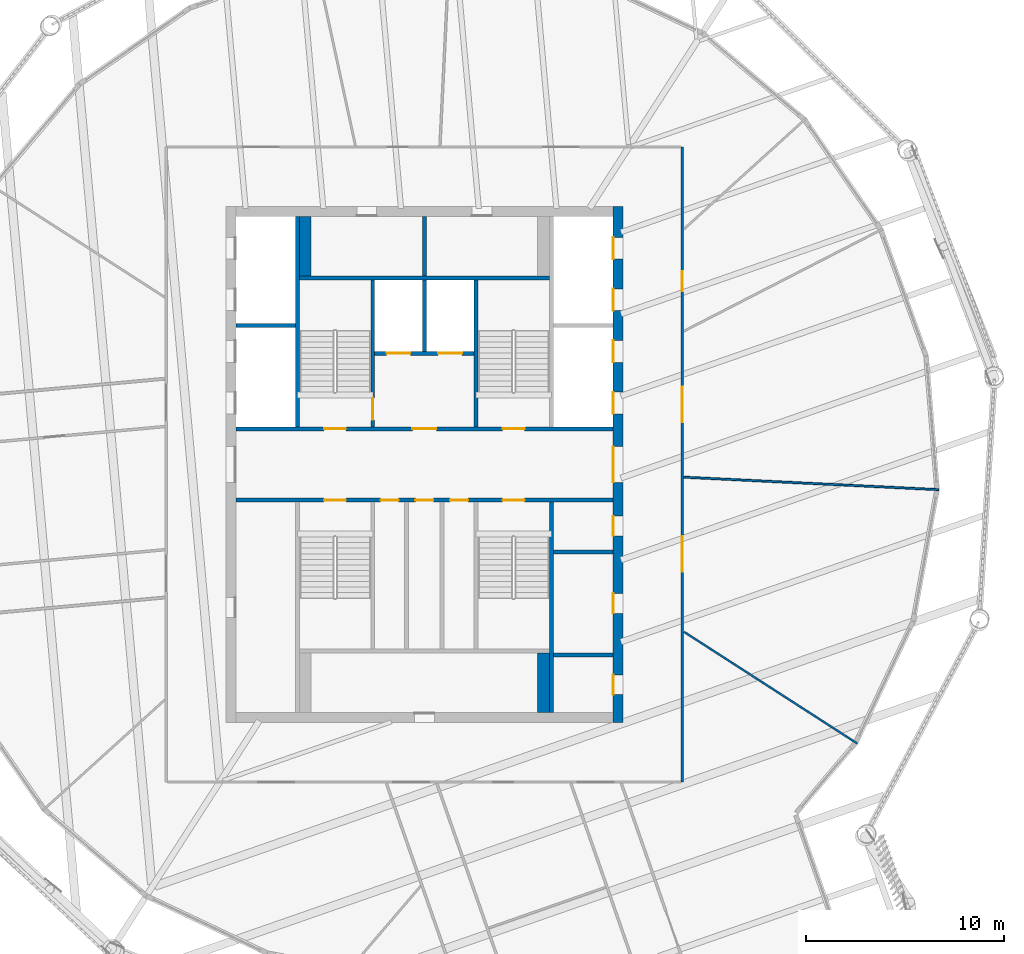
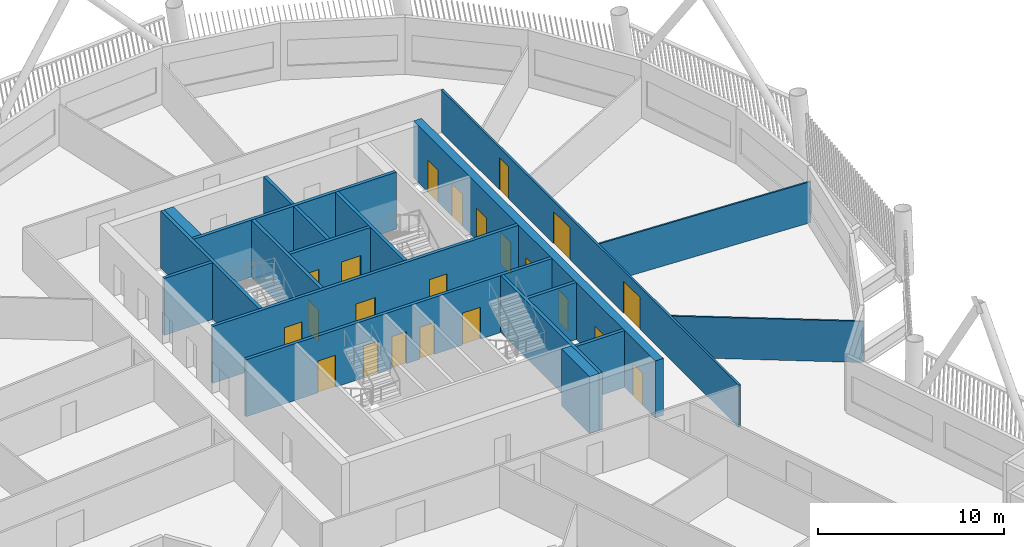
# One storey, part 5 of 23: 22 doors, 19 walls, 22 openings.
"""IFC4 building model written with IfcOpenShell, lengths in metres."""

from ifc_helpers import new_model, si_unit, direction, frame, frame_2d, origin, place, context, subcontext, project, spatial, rectangle, extrude, material, layer, layer_set, type_object, element, fill, save


model = new_model("IFC4")

# Units and contexts
model_context = context("Model", 3, precision=1e-05, world=origin(), true_north=direction((0.0, 1.0)))
body_context = subcontext(model_context, "Body", "Model", "MODEL_VIEW")
ifc_project = project(units=[si_unit("LENGTHUNIT", "METRE"), si_unit("AREAUNIT", "SQUARE_METRE"), si_unit("VOLUMEUNIT", "CUBIC_METRE"), si_unit("PLANEANGLEUNIT", "RADIAN"), si_unit("MASSUNIT", "GRAM", prefix="KILO")], contexts=[model_context])

# Site, building, storey
site_placement = place(None, origin())
site = spatial("IfcSite", under=ifc_project, at=site_placement, CompositionType="ELEMENT")
building_placement = place(site_placement, origin())
building = spatial("IfcBuilding", under=site, at=building_placement, Name="Tarsis Ring Headquarters", CompositionType="ELEMENT")
storey_placement = place(building_placement, frame((0.0, 0.0, 308.0)))
storey = spatial("IfcBuildingStorey", under=building, at=storey_placement, Name="L72", CompositionType="ELEMENT", Elevation=308.0)

# Walls
ifc_material_1 = material(Name="Blockwork", Category="masonry")
ifc_layer_1 = layer(ifc_material_1, 0.199951171875)
ifc_layer_set_1 = layer_set([ifc_layer_1], Name="Core blockwork wall 200")
wall_type_1 = type_object("IfcWallType", Name="Core blockwork wall 200", PredefinedType="PARTITIONING", material=ifc_layer_set_1)
for number, where, z_axis, x_axis, name in (
    (1, (6.5, -9.60009765625, 0.0), (0.0, 0.0, 1.0), (1.0, 0.0, 0.0), "Core partition ED1"),
    (2, (6.5, -4.39990234375, 0.0), (0.0, 0.0, 1.0), (1.0, 0.0, 0.0), "Core partition ED3"),
    (3, (0.0, 9.5, 0.0), (0.0, 0.0, 1.0), (0.0, 1.0, 0.0), "Core partition ND2"),
):
    element("IfcWall", number, at=place(storey_placement, frame(where, z_axis=z_axis, x_axis=x_axis)), inside=storey, type_object=wall_type_1, Name=name, PredefinedType="PARTITIONING", context=body_context, shape_type="SweptSolid", body=[
        extrude(rectangle(XDim=3.0, YDim=0.199951171875, at=frame_2d((1.5, 0.0))), origin(), (0.0, 0.0, 1.0), 3.739990234375),
    ])

# Wall, openings, doors
ifc_material_2 = material(Name="Concrete C50/60", Category="concrete")
ifc_layer_2 = layer(ifc_material_2, 0.5)
ifc_layer_set_2 = layer_set([ifc_layer_2], Name="Core wall 500 C50/60")
wall_type_2 = type_object("IfcWallType", Name="Core wall 500 C50/60", PredefinedType="SHEAR", material=ifc_layer_set_2)
wall_1_placement = place(storey_placement, frame((9.75, -13.0, 0.0), z_axis=(0.0, 0.0, 1.0), x_axis=(0.0, 1.0, 0.0)))
wall_1 = element("IfcWall", 4, at=wall_1_placement, inside=storey, type_object=wall_type_2, Name="Core wall OE", PredefinedType="SHEAR", context=body_context, shape_type="SweptSolid", body=[
    extrude(rectangle(XDim=26.0, YDim=0.5, at=frame_2d((13.0, 0.0))), origin(), (0.0, 0.0, 1.0), 3.739990234375),
])
opening_1_placement = place(wall_1_placement, frame((1.39990234375, 0.0, 0.0)))
opening_1 = element("IfcOpeningElement", 5, at=opening_1_placement, cuts=wall_1, Name="Opening L72-C07", PredefinedType="OPENING", context=body_context, shape_type="SweptSolid", body=[
    extrude(rectangle(XDim=1.0, YDim=2.10009765625, at=frame_2d((0.5, 1.050048828125))), frame((0.0, 0.260009765625, 0.0), z_axis=(0.0, -1.0, 0.0), x_axis=(1.0, 0.0, 0.0)), (0.0, 0.0, 1.0), 0.52001953125),
])
opening_2_placement = place(wall_1_placement, frame((5.5, 0.0, 0.0)))
opening_2 = element("IfcOpeningElement", 6, at=opening_2_placement, cuts=wall_1, Name="Opening L72-C08", PredefinedType="OPENING", context=body_context, shape_type="SweptSolid", body=[
    extrude(rectangle(XDim=1.0, YDim=2.10009765625, at=frame_2d((0.5, 1.050048828125))), frame((0.0, 0.260009765625, 0.0), z_axis=(0.0, -1.0, 0.0), x_axis=(1.0, 0.0, 0.0)), (0.0, 0.0, 1.0), 0.52001953125),
])
opening_3_placement = place(wall_1_placement, frame((9.39990234375, 0.0, 0.0)))
opening_3 = element("IfcOpeningElement", 7, at=opening_3_placement, cuts=wall_1, Name="Opening L72-C09", PredefinedType="OPENING", context=body_context, shape_type="SweptSolid", body=[
    extrude(rectangle(XDim=1.0, YDim=2.10009765625, at=frame_2d((0.5, 1.050048828125))), frame((0.0, 0.260009765625, 0.0), z_axis=(0.0, -1.0, 0.0), x_axis=(1.0, 0.0, 0.0)), (0.0, 0.0, 1.0), 0.52001953125),
])
opening_4_placement = place(wall_1_placement, frame((12.10009765625, 0.0, 0.0)))
opening_4 = element("IfcOpeningElement", 8, at=opening_4_placement, cuts=wall_1, Name="Opening L72-C10", PredefinedType="OPENING", context=body_context, shape_type="SweptSolid", body=[
    extrude(rectangle(XDim=1.800048828125, YDim=2.10009765625, at=frame_2d((0.89990234375, 1.050048828125))), frame((0.0, 0.260009765625, 0.0), z_axis=(0.0, -1.0, 0.0), x_axis=(1.0, 0.0, 0.0)), (0.0, 0.0, 1.0), 0.52001953125),
])
opening_5_placement = place(wall_1_placement, frame((15.550048828125, 0.0, 0.0)))
opening_5 = element("IfcOpeningElement", 9, at=opening_5_placement, cuts=wall_1, Name="Opening LD-HR5", PredefinedType="OPENING", context=body_context, shape_type="SweptSolid", body=[
    extrude(rectangle(XDim=1.10009765625, YDim=2.10009765625, at=frame_2d((0.550048828125, 1.050048828125))), frame((0.0, 0.260009765625, 0.0), z_axis=(0.0, -1.0, 0.0), x_axis=(1.0, 0.0, 0.0)), (0.0, 0.0, 1.0), 0.52001953125),
])
opening_6_placement = place(wall_1_placement, frame((18.14990234375, 0.0, 0.0)))
opening_6 = element("IfcOpeningElement", 10, at=opening_6_placement, cuts=wall_1, Name="Opening LD-HR6", PredefinedType="OPENING", context=body_context, shape_type="SweptSolid", body=[
    extrude(rectangle(XDim=1.10009765625, YDim=2.10009765625, at=frame_2d((0.550048828125, 1.050048828125))), frame((0.0, 0.260009765625, 0.0), z_axis=(0.0, -1.0, 0.0), x_axis=(1.0, 0.0, 0.0)), (0.0, 0.0, 1.0), 0.52001953125),
])
opening_7_placement = place(wall_1_placement, frame((20.75, 0.0, 0.0)))
opening_7 = element("IfcOpeningElement", 11, at=opening_7_placement, cuts=wall_1, Name="Opening LD-HR7", PredefinedType="OPENING", context=body_context, shape_type="SweptSolid", body=[
    extrude(rectangle(XDim=1.10009765625, YDim=2.10009765625, at=frame_2d((0.550048828125, 1.050048828125))), frame((0.0, 0.260009765625, 0.0), z_axis=(0.0, -1.0, 0.0), x_axis=(1.0, 0.0, 0.0)), (0.0, 0.0, 1.0), 0.52001953125),
])
opening_8_placement = place(wall_1_placement, frame((23.35009765625, 0.0, 0.0)))
opening_8 = element("IfcOpeningElement", 12, at=opening_8_placement, cuts=wall_1, Name="Opening LD-HR8", PredefinedType="OPENING", context=body_context, shape_type="SweptSolid", body=[
    extrude(rectangle(XDim=1.10009765625, YDim=2.10009765625, at=frame_2d((0.550048828125, 1.050048828125))), frame((0.0, 0.260009765625, 0.0), z_axis=(0.0, -1.0, 0.0), x_axis=(1.0, 0.0, 0.0)), (0.0, 0.0, 1.0), 0.52001953125),
])
ifc_material_3 = material(Name="Steel S355", Category="steel")
door_type_1 = type_object("IfcDoorType", Name="Core entry door 1800x2100", OperationType="DOUBLE_DOOR_SINGLE_SWING", PredefinedType="DOOR", material=ifc_material_3)
door_1_placement = place(opening_4_placement, origin())
door_1 = element("IfcDoor", 13, at=door_1_placement, inside=storey, type_object=door_type_1, Name="Core entry door L72", OperationType="DOUBLE_DOOR_SINGLE_SWING", OverallHeight=2.10009765625, OverallWidth=1.800048828125, PredefinedType="DOOR", context=body_context, shape_type="SweptSolid", body=[
    extrude(rectangle(XDim=1.800048828125, YDim=2.10009765625, at=frame_2d((0.89990234375, 1.050048828125))), frame((0.0, 0.25, 0.0), z_axis=(0.0, -1.0, 0.0), x_axis=(1.0, 0.0, 0.0)), (0.0, 0.0, 1.0), 0.050048828125),
])
fill(opening_4, door_1)
door_type_2 = type_object("IfcDoorType", Name="Core room door 1000x2100", OperationType="SINGLE_SWING_LEFT", PredefinedType="DOOR", material=ifc_material_3)
door_2_placement = place(opening_1_placement, origin())
door_2 = element("IfcDoor", 14, at=door_2_placement, inside=storey, type_object=door_type_2, Name="Core room door L72", OperationType="SINGLE_SWING_LEFT", OverallHeight=2.10009765625, OverallWidth=1.0, PredefinedType="DOOR", context=body_context, shape_type="SweptSolid", body=[
    extrude(rectangle(XDim=1.0, YDim=2.10009765625, at=frame_2d((0.5, 1.050048828125))), frame((0.0, 0.25, 0.0), z_axis=(0.0, -1.0, 0.0), x_axis=(1.0, 0.0, 0.0)), (0.0, 0.0, 1.0), 0.050048828125),
])
fill(opening_1, door_2)
door_3_placement = place(opening_2_placement, origin())
door_3 = element("IfcDoor", 15, at=door_3_placement, inside=storey, type_object=door_type_2, Name="Core room door L72", OperationType="SINGLE_SWING_LEFT", OverallHeight=2.10009765625, OverallWidth=1.0, PredefinedType="DOOR", context=body_context, shape_type="SweptSolid", body=[
    extrude(rectangle(XDim=1.0, YDim=2.10009765625, at=frame_2d((0.5, 1.050048828125))), frame((0.0, 0.25, 0.0), z_axis=(0.0, -1.0, 0.0), x_axis=(1.0, 0.0, 0.0)), (0.0, 0.0, 1.0), 0.050048828125),
])
fill(opening_2, door_3)
door_4_placement = place(opening_3_placement, origin())
door_4 = element("IfcDoor", 16, at=door_4_placement, inside=storey, type_object=door_type_2, Name="Core room door L72", OperationType="SINGLE_SWING_LEFT", OverallHeight=2.10009765625, OverallWidth=1.0, PredefinedType="DOOR", context=body_context, shape_type="SweptSolid", body=[
    extrude(rectangle(XDim=1.0, YDim=2.10009765625, at=frame_2d((0.5, 1.050048828125))), frame((0.0, 0.25, 0.0), z_axis=(0.0, -1.0, 0.0), x_axis=(1.0, 0.0, 0.0)), (0.0, 0.0, 1.0), 0.050048828125),
])
fill(opening_3, door_4)
door_type_3 = type_object("IfcDoorType", Name="Landing door 1100x2100", OperationType="SLIDING_TO_LEFT", PredefinedType="DOOR", material=ifc_material_3)
door_5_placement = place(opening_5_placement, origin())
door_5 = element("IfcDoor", 17, at=door_5_placement, inside=storey, type_object=door_type_3, Name="Landing door HR5 L72", OperationType="SLIDING_TO_LEFT", OverallHeight=2.10009765625, OverallWidth=1.10009765625, PredefinedType="DOOR", context=body_context, shape_type="SweptSolid", body=[
    extrude(rectangle(XDim=1.10009765625, YDim=2.10009765625, at=frame_2d((0.550048828125, 1.050048828125))), frame((0.0, 0.25, 0.0), z_axis=(0.0, -1.0, 0.0), x_axis=(1.0, 0.0, 0.0)), (0.0, 0.0, 1.0), 0.050048828125),
])
fill(opening_5, door_5)
door_6_placement = place(opening_6_placement, origin())
door_6 = element("IfcDoor", 18, at=door_6_placement, inside=storey, type_object=door_type_3, Name="Landing door HR6 L72", OperationType="SLIDING_TO_LEFT", OverallHeight=2.10009765625, OverallWidth=1.10009765625, PredefinedType="DOOR", context=body_context, shape_type="SweptSolid", body=[
    extrude(rectangle(XDim=1.10009765625, YDim=2.10009765625, at=frame_2d((0.550048828125, 1.050048828125))), frame((0.0, 0.25, 0.0), z_axis=(0.0, -1.0, 0.0), x_axis=(1.0, 0.0, 0.0)), (0.0, 0.0, 1.0), 0.050048828125),
])
fill(opening_6, door_6)
door_7_placement = place(opening_7_placement, origin())
door_7 = element("IfcDoor", 19, at=door_7_placement, inside=storey, type_object=door_type_3, Name="Landing door HR7 L72", OperationType="SLIDING_TO_LEFT", OverallHeight=2.10009765625, OverallWidth=1.10009765625, PredefinedType="DOOR", context=body_context, shape_type="SweptSolid", body=[
    extrude(rectangle(XDim=1.10009765625, YDim=2.10009765625, at=frame_2d((0.550048828125, 1.050048828125))), frame((0.0, 0.25, 0.0), z_axis=(0.0, -1.0, 0.0), x_axis=(1.0, 0.0, 0.0)), (0.0, 0.0, 1.0), 0.050048828125),
])
fill(opening_7, door_7)
door_8_placement = place(opening_8_placement, origin())
door_8 = element("IfcDoor", 20, at=door_8_placement, inside=storey, type_object=door_type_3, Name="Landing door HR8 L72", OperationType="SLIDING_TO_LEFT", OverallHeight=2.10009765625, OverallWidth=1.10009765625, PredefinedType="DOOR", context=body_context, shape_type="SweptSolid", body=[
    extrude(rectangle(XDim=1.10009765625, YDim=2.10009765625, at=frame_2d((0.550048828125, 1.050048828125))), frame((0.0, 0.25, 0.0), z_axis=(0.0, -1.0, 0.0), x_axis=(1.0, 0.0, 0.0)), (0.0, 0.0, 1.0), 0.050048828125),
])
fill(opening_8, door_8)

# Walls
ifc_material_4 = material(Name="Gypsum board on steel studs", Category="steel")
ifc_layer_3 = layer(ifc_material_4, 0.10009765625)
ifc_layer_set_3 = layer_set([ifc_layer_3], Name="FL partition 100 unrated")
wall_type_3 = type_object("IfcWallType", Name="FL partition 100 unrated", PredefinedType="PARTITIONING", material=ifc_layer_set_3)
wall_2_placement = place(storey_placement, frame((13.06982421875, -0.63916015625, 0.0), z_axis=(0.0, 0.0, 1.0), x_axis=(0.998805808707, -0.048856488762, 0.0)))
element("IfcWall", 21, at=wall_2_placement, inside=storey, type_object=wall_type_3, Name="Partition PW3", PredefinedType="PARTITIONING", context=body_context, shape_type="SweptSolid", body=[
    extrude(rectangle(XDim=12.862548828125, YDim=0.10009765625, at=frame_2d((6.43115234375, 0.0))), origin(), (0.0, 0.0, 1.0), 2.699951171875),
])
wall_3_placement = place(storey_placement, frame((13.083984375, -8.43212890625, 0.0), z_axis=(0.0, 0.0, 1.0), x_axis=(0.84056746588, -0.541706872122, 0.0)))
element("IfcWall", 22, at=wall_3_placement, inside=storey, type_object=wall_type_3, Name="Partition PW3", PredefinedType="PARTITIONING", context=body_context, shape_type="SweptSolid", body=[
    extrude(rectangle(XDim=10.382080078125, YDim=0.10009765625, at=frame_2d((5.19091796875, 0.0))), origin(), (0.0, 0.0, 1.0), 2.699951171875),
])

# Wall, openings, doors
ifc_layer_4 = layer(ifc_material_4, 0.125)
ifc_layer_set_4 = layer_set([ifc_layer_4], Name="FL partition 125 EI 60 H2770")
wall_type_4 = type_object("IfcWallType", Name="FL partition 125 EI 60 H2770", PredefinedType="PARTITIONING", material=ifc_layer_set_4)
wall_4_placement = place(storey_placement, frame((13.0, -16.0, 0.0), z_axis=(0.0, 0.0, 1.0), x_axis=(0.0, 1.0, 0.0)))
wall_4 = element("IfcWall", 23, at=wall_4_placement, inside=storey, type_object=wall_type_4, Name="Partition PW1", PredefinedType="PARTITIONING", context=body_context, shape_type="SweptSolid", body=[
    extrude(rectangle(XDim=32.0, YDim=0.125, at=frame_2d((16.0, 0.0))), origin(), (0.0, 0.0, 1.0), 2.77001953125),
])
opening_9_placement = place(wall_4_placement, frame((24.734375, 0.0, 0.0)))
opening_9 = element("IfcOpeningElement", 24, at=opening_9_placement, cuts=wall_4, Name="Opening D72.06", PredefinedType="OPENING", context=body_context, shape_type="SweptSolid", body=[
    extrude(rectangle(XDim=1.0, YDim=2.10009765625, at=frame_2d((0.5, 1.050048828125))), frame((0.0, 0.072509765625, 0.0), z_axis=(0.0, -1.0, 0.0), x_axis=(1.0, 0.0, 0.0)), (0.0, 0.0, 1.0), 0.14501953125),
])
opening_10_placement = place(wall_4_placement, frame((18.12255859375, 0.0, 0.0)))
opening_10 = element("IfcOpeningElement", 25, at=opening_10_placement, cuts=wall_4, Name="Opening D72.07", PredefinedType="OPENING", context=body_context, shape_type="SweptSolid", body=[
    extrude(rectangle(XDim=1.800048828125, YDim=2.10009765625, at=frame_2d((0.89990234375, 1.050048828125))), frame((0.0, 0.072509765625, 0.0), z_axis=(0.0, -1.0, 0.0), x_axis=(1.0, 0.0, 0.0)), (0.0, 0.0, 1.0), 0.14501953125),
])
opening_11_placement = place(wall_4_placement, frame((10.593017578125, 0.0, 0.0)))
opening_11 = element("IfcOpeningElement", 26, at=opening_11_placement, cuts=wall_4, Name="Opening D72.08", PredefinedType="OPENING", context=body_context, shape_type="SweptSolid", body=[
    extrude(rectangle(XDim=1.800048828125, YDim=2.10009765625, at=frame_2d((0.89990234375, 1.050048828125))), frame((0.0, 0.072509765625, 0.0), z_axis=(0.0, -1.0, 0.0), x_axis=(1.0, 0.0, 0.0)), (0.0, 0.0, 1.0), 0.14501953125),
])
ifc_material_5 = material(Name="Fire-rated timber door leaf in steel frame", Category="steel")
door_type_4 = type_object("IfcDoorType", Name="FL door FD60-1000", OperationType="NOTDEFINED", PredefinedType="DOOR", material=ifc_material_5)
door_9_placement = place(opening_9_placement, origin())
door_9 = element("IfcDoor", 27, at=door_9_placement, inside=storey, type_object=door_type_4, Name="Door D72.06", OperationType="SINGLE_SWING_RIGHT", OverallHeight=2.10009765625, OverallWidth=1.0, PredefinedType="DOOR", context=body_context, shape_type="SweptSolid", body=[
    extrude(rectangle(XDim=1.0, YDim=2.10009765625, at=frame_2d((0.5, 1.050048828125))), frame((0.0, 0.02490234375, 0.0), z_axis=(0.0, -1.0, 0.0), x_axis=(1.0, 0.0, 0.0)), (0.0, 0.0, 1.0), 0.050048828125),
])
fill(opening_9, door_9)
door_type_5 = type_object("IfcDoorType", Name="FL door FD60-1800", OperationType="DOUBLE_DOOR_SINGLE_SWING", PredefinedType="DOOR", material=ifc_material_5)
door_10_placement = place(opening_10_placement, origin())
door_10 = element("IfcDoor", 28, at=door_10_placement, inside=storey, type_object=door_type_5, Name="Door D72.07", OperationType="DOUBLE_DOOR_SINGLE_SWING", OverallHeight=2.10009765625, OverallWidth=1.800048828125, PredefinedType="DOOR", context=body_context, shape_type="SweptSolid", body=[
    extrude(rectangle(XDim=1.800048828125, YDim=2.10009765625, at=frame_2d((0.89990234375, 1.050048828125))), frame((0.0, 0.02490234375, 0.0), z_axis=(0.0, -1.0, 0.0), x_axis=(1.0, 0.0, 0.0)), (0.0, 0.0, 1.0), 0.050048828125),
])
fill(opening_10, door_10)
door_11_placement = place(opening_11_placement, origin())
door_11 = element("IfcDoor", 29, at=door_11_placement, inside=storey, type_object=door_type_5, Name="Door D72.08", OperationType="DOUBLE_DOOR_SINGLE_SWING", OverallHeight=2.10009765625, OverallWidth=1.800048828125, PredefinedType="DOOR", context=body_context, shape_type="SweptSolid", body=[
    extrude(rectangle(XDim=1.800048828125, YDim=2.10009765625, at=frame_2d((0.89990234375, 1.050048828125))), frame((0.0, 0.02490234375, 0.0), z_axis=(0.0, -1.0, 0.0), x_axis=(1.0, 0.0, 0.0)), (0.0, 0.0, 1.0), 0.050048828125),
])
fill(opening_11, door_11)

# Walls
ifc_material_6 = material(Name="Concrete C32/40", Category="concrete")
ifc_layer_5 = layer(ifc_material_6, 0.60009765625)
ifc_layer_set_5 = layer_set([ifc_layer_5], Name="Shaft end wall 600 C32/40")
wall_type_5 = type_object("IfcWallType", Name="Shaft end wall 600 C32/40", PredefinedType="SOLIDWALL", material=ifc_layer_set_5)
for number, where, z_axis, x_axis, name in (
    (30, (-6.0, 9.5, 0.0), (0.0, 0.0, 1.0), (0.0, 1.0, 0.0), "Core shaft wall NNE1"),
    (31, (6.0, -12.5, 0.0), (0.0, 0.0, 1.0), (0.0, 1.0, 0.0), "Core shaft wall SNE2"),
):
    element("IfcWall", number, at=place(storey_placement, frame(where, z_axis=z_axis, x_axis=x_axis)), inside=storey, type_object=wall_type_5, Name=name, PredefinedType="SOLIDWALL", context=body_context, shape_type="SweptSolid", body=[
        extrude(rectangle(XDim=3.0, YDim=0.60009765625, at=frame_2d((1.5, 0.0))), origin(), (0.0, 0.0, 1.0), 3.739990234375),
    ])

# Wall, openings, doors
ifc_layer_6 = layer(ifc_material_6, 0.199951171875)
ifc_layer_set_6 = layer_set([ifc_layer_6], Name="Shaft wall 200 C32/40")
wall_type_6 = type_object("IfcWallType", Name="Shaft wall 200 C32/40", PredefinedType="SOLIDWALL", material=ifc_layer_set_6)
wall_5_placement = place(storey_placement, frame((-9.5, 1.800048828125, 0.0), z_axis=(0.0, 0.0, 1.0), x_axis=(1.0, 0.0, 0.0)))
wall_5 = element("IfcWall", 32, at=wall_5_placement, inside=storey, type_object=wall_type_6, Name="Core shaft wall CN", PredefinedType="SOLIDWALL", context=body_context, shape_type="SweptSolid", body=[
    extrude(rectangle(XDim=19.0, YDim=0.199951171875, at=frame_2d((9.5, 0.0))), origin(), (0.0, 0.0, 1.0), 3.739990234375),
])
opening_12_placement = place(wall_5_placement, frame((4.449951171875, 0.0, 0.0)))
opening_12 = element("IfcOpeningElement", 33, at=opening_12_placement, cuts=wall_5, Name="Opening L72-C18", PredefinedType="OPENING", context=body_context, shape_type="SweptSolid", body=[
    extrude(rectangle(XDim=1.10009765625, YDim=2.10009765625, at=frame_2d((0.550048828125, 1.050048828125))), frame((0.0, 0.10986328125, 0.0), z_axis=(0.0, -1.0, 0.0), x_axis=(1.0, 0.0, 0.0)), (0.0, 0.0, 1.0), 0.219970703125),
])
opening_13_placement = place(wall_5_placement, frame((8.89990234375, 0.0, 0.0)))
opening_13 = element("IfcOpeningElement", 34, at=opening_13_placement, cuts=wall_5, Name="Opening L72-C19", PredefinedType="OPENING", context=body_context, shape_type="SweptSolid", body=[
    extrude(rectangle(XDim=1.199951171875, YDim=2.10009765625, at=frame_2d((0.60009765625, 1.050048828125))), frame((0.0, 0.10986328125, 0.0), z_axis=(0.0, -1.0, 0.0), x_axis=(1.0, 0.0, 0.0)), (0.0, 0.0, 1.0), 0.219970703125),
])
opening_14_placement = place(wall_5_placement, frame((13.449951171875, 0.0, 0.0)))
opening_14 = element("IfcOpeningElement", 35, at=opening_14_placement, cuts=wall_5, Name="Opening L72-C20", PredefinedType="OPENING", context=body_context, shape_type="SweptSolid", body=[
    extrude(rectangle(XDim=1.10009765625, YDim=2.10009765625, at=frame_2d((0.550048828125, 1.050048828125))), frame((0.0, 0.10986328125, 0.0), z_axis=(0.0, -1.0, 0.0), x_axis=(1.0, 0.0, 0.0)), (0.0, 0.0, 1.0), 0.219970703125),
])
door_type_6 = type_object("IfcDoorType", Name="Firefighting lobby door 1200x2100", OperationType="DOUBLE_DOOR_SINGLE_SWING", PredefinedType="DOOR", material=ifc_material_3)
door_12_placement = place(opening_13_placement, origin())
door_12 = element("IfcDoor", 36, at=door_12_placement, inside=storey, type_object=door_type_6, Name="Firefighting lobby door L72", OperationType="DOUBLE_DOOR_SINGLE_SWING", OverallHeight=2.10009765625, OverallWidth=1.199951171875, PredefinedType="DOOR", context=body_context, shape_type="SweptSolid", body=[
    extrude(rectangle(XDim=1.199951171875, YDim=2.10009765625, at=frame_2d((0.60009765625, 1.050048828125))), frame((0.0, 0.02490234375, 0.0), z_axis=(0.0, -1.0, 0.0), x_axis=(1.0, 0.0, 0.0)), (0.0, 0.0, 1.0), 0.050048828125),
])
fill(opening_13, door_12)
door_type_7 = type_object("IfcDoorType", Name="Stair door 1100x2100", OperationType="SINGLE_SWING_LEFT", PredefinedType="DOOR", material=ifc_material_3)
door_13_placement = place(opening_12_placement, origin())
door_13 = element("IfcDoor", 37, at=door_13_placement, inside=storey, type_object=door_type_7, Name="Stair door L72", OperationType="SINGLE_SWING_LEFT", OverallHeight=2.10009765625, OverallWidth=1.10009765625, PredefinedType="DOOR", context=body_context, shape_type="SweptSolid", body=[
    extrude(rectangle(XDim=1.10009765625, YDim=2.10009765625, at=frame_2d((0.550048828125, 1.050048828125))), frame((0.0, 0.02490234375, 0.0), z_axis=(0.0, -1.0, 0.0), x_axis=(1.0, 0.0, 0.0)), (0.0, 0.0, 1.0), 0.050048828125),
])
fill(opening_12, door_13)
door_14_placement = place(opening_14_placement, origin())
door_14 = element("IfcDoor", 38, at=door_14_placement, inside=storey, type_object=door_type_7, Name="Stair door L72", OperationType="SINGLE_SWING_LEFT", OverallHeight=2.10009765625, OverallWidth=1.10009765625, PredefinedType="DOOR", context=body_context, shape_type="SweptSolid", body=[
    extrude(rectangle(XDim=1.10009765625, YDim=2.10009765625, at=frame_2d((0.550048828125, 1.050048828125))), frame((0.0, 0.02490234375, 0.0), z_axis=(0.0, -1.0, 0.0), x_axis=(1.0, 0.0, 0.0)), (0.0, 0.0, 1.0), 0.050048828125),
])
fill(opening_14, door_14)

wall_6_placement = place(storey_placement, frame((-9.5, -1.800048828125, 0.0), z_axis=(0.0, 0.0, 1.0), x_axis=(1.0, 0.0, 0.0)))
wall_6 = element("IfcWall", 39, at=wall_6_placement, inside=storey, type_object=wall_type_6, Name="Core shaft wall CS", PredefinedType="SOLIDWALL", context=body_context, shape_type="SweptSolid", body=[
    extrude(rectangle(XDim=19.0, YDim=0.199951171875, at=frame_2d((9.5, 0.0))), origin(), (0.0, 0.0, 1.0), 3.739990234375),
])
opening_15_placement = place(wall_6_placement, frame((4.449951171875, 0.0, 0.0)))
opening_15 = element("IfcOpeningElement", 40, at=opening_15_placement, cuts=wall_6, Name="Opening L72-C21", PredefinedType="OPENING", context=body_context, shape_type="SweptSolid", body=[
    extrude(rectangle(XDim=1.10009765625, YDim=2.10009765625, at=frame_2d((0.550048828125, 1.050048828125))), frame((0.0, 0.10986328125, 0.0), z_axis=(0.0, -1.0, 0.0), x_axis=(1.0, 0.0, 0.0)), (0.0, 0.0, 1.0), 0.219970703125),
])
opening_16_placement = place(wall_6_placement, frame((7.300048828125, 0.0, 0.0)))
opening_16 = element("IfcOpeningElement", 41, at=opening_16_placement, cuts=wall_6, Name="Opening L72-C22", PredefinedType="OPENING", context=body_context, shape_type="SweptSolid", body=[
    extrude(rectangle(XDim=0.89990234375, YDim=2.10009765625, at=frame_2d((0.449951171875, 1.050048828125))), frame((0.0, 0.10986328125, 0.0), z_axis=(0.0, -1.0, 0.0), x_axis=(1.0, 0.0, 0.0)), (0.0, 0.0, 1.0), 0.219970703125),
])
opening_17_placement = place(wall_6_placement, frame((9.050048828125, 0.0, 0.0)))
opening_17 = element("IfcOpeningElement", 42, at=opening_17_placement, cuts=wall_6, Name="Opening L72-C23", PredefinedType="OPENING", context=body_context, shape_type="SweptSolid", body=[
    extrude(rectangle(XDim=0.89990234375, YDim=2.10009765625, at=frame_2d((0.449951171875, 1.050048828125))), frame((0.0, 0.10986328125, 0.0), z_axis=(0.0, -1.0, 0.0), x_axis=(1.0, 0.0, 0.0)), (0.0, 0.0, 1.0), 0.219970703125),
])
opening_18_placement = place(wall_6_placement, frame((10.800048828125, 0.0, 0.0)))
opening_18 = element("IfcOpeningElement", 43, at=opening_18_placement, cuts=wall_6, Name="Opening L72-C24", PredefinedType="OPENING", context=body_context, shape_type="SweptSolid", body=[
    extrude(rectangle(XDim=0.89990234375, YDim=2.10009765625, at=frame_2d((0.449951171875, 1.050048828125))), frame((0.0, 0.10986328125, 0.0), z_axis=(0.0, -1.0, 0.0), x_axis=(1.0, 0.0, 0.0)), (0.0, 0.0, 1.0), 0.219970703125),
])
opening_19_placement = place(wall_6_placement, frame((13.449951171875, 0.0, 0.0)))
opening_19 = element("IfcOpeningElement", 44, at=opening_19_placement, cuts=wall_6, Name="Opening L72-C25", PredefinedType="OPENING", context=body_context, shape_type="SweptSolid", body=[
    extrude(rectangle(XDim=1.10009765625, YDim=2.10009765625, at=frame_2d((0.550048828125, 1.050048828125))), frame((0.0, 0.10986328125, 0.0), z_axis=(0.0, -1.0, 0.0), x_axis=(1.0, 0.0, 0.0)), (0.0, 0.0, 1.0), 0.219970703125),
])
door_15_placement = place(opening_15_placement, origin())
door_15 = element("IfcDoor", 45, at=door_15_placement, inside=storey, type_object=door_type_7, Name="Stair door L72", OperationType="SINGLE_SWING_LEFT", OverallHeight=2.10009765625, OverallWidth=1.10009765625, PredefinedType="DOOR", context=body_context, shape_type="SweptSolid", body=[
    extrude(rectangle(XDim=1.10009765625, YDim=2.10009765625, at=frame_2d((0.550048828125, 1.050048828125))), frame((0.0, 0.02490234375, 0.0), z_axis=(0.0, -1.0, 0.0), x_axis=(1.0, 0.0, 0.0)), (0.0, 0.0, 1.0), 0.050048828125),
])
fill(opening_15, door_15)
door_16_placement = place(opening_19_placement, origin())
door_16 = element("IfcDoor", 46, at=door_16_placement, inside=storey, type_object=door_type_7, Name="Stair door L72", OperationType="SINGLE_SWING_LEFT", OverallHeight=2.10009765625, OverallWidth=1.10009765625, PredefinedType="DOOR", context=body_context, shape_type="SweptSolid", body=[
    extrude(rectangle(XDim=1.10009765625, YDim=2.10009765625, at=frame_2d((0.550048828125, 1.050048828125))), frame((0.0, 0.02490234375, 0.0), z_axis=(0.0, -1.0, 0.0), x_axis=(1.0, 0.0, 0.0)), (0.0, 0.0, 1.0), 0.050048828125),
])
fill(opening_19, door_16)
door_type_8 = type_object("IfcDoorType", Name="WC door 900x2100", OperationType="SINGLE_SWING_LEFT", PredefinedType="DOOR", material=ifc_material_3)
door_17_placement = place(opening_16_placement, origin())
door_17 = element("IfcDoor", 47, at=door_17_placement, inside=storey, type_object=door_type_8, Name="WC door L72", OperationType="SINGLE_SWING_LEFT", OverallHeight=2.10009765625, OverallWidth=0.89990234375, PredefinedType="DOOR", context=body_context, shape_type="SweptSolid", body=[
    extrude(rectangle(XDim=0.89990234375, YDim=2.10009765625, at=frame_2d((0.449951171875, 1.050048828125))), frame((0.0, 0.02490234375, 0.0), z_axis=(0.0, -1.0, 0.0), x_axis=(1.0, 0.0, 0.0)), (0.0, 0.0, 1.0), 0.050048828125),
])
fill(opening_16, door_17)
door_18_placement = place(opening_17_placement, origin())
door_18 = element("IfcDoor", 48, at=door_18_placement, inside=storey, type_object=door_type_8, Name="WC door L72", OperationType="SINGLE_SWING_LEFT", OverallHeight=2.10009765625, OverallWidth=0.89990234375, PredefinedType="DOOR", context=body_context, shape_type="SweptSolid", body=[
    extrude(rectangle(XDim=0.89990234375, YDim=2.10009765625, at=frame_2d((0.449951171875, 1.050048828125))), frame((0.0, 0.02490234375, 0.0), z_axis=(0.0, -1.0, 0.0), x_axis=(1.0, 0.0, 0.0)), (0.0, 0.0, 1.0), 0.050048828125),
])
fill(opening_17, door_18)
door_19_placement = place(opening_18_placement, origin())
door_19 = element("IfcDoor", 49, at=door_19_placement, inside=storey, type_object=door_type_8, Name="WC door L72", OperationType="SINGLE_SWING_LEFT", OverallHeight=2.10009765625, OverallWidth=0.89990234375, PredefinedType="DOOR", context=body_context, shape_type="SweptSolid", body=[
    extrude(rectangle(XDim=0.89990234375, YDim=2.10009765625, at=frame_2d((0.449951171875, 1.050048828125))), frame((0.0, 0.02490234375, 0.0), z_axis=(0.0, -1.0, 0.0), x_axis=(1.0, 0.0, 0.0)), (0.0, 0.0, 1.0), 0.050048828125),
])
fill(opening_18, door_19)

# Walls
for number, where, z_axis, x_axis, name in (
    (50, (-6.39990234375, 1.89990234375, 0.0), (0.0, 0.0, 1.0), (0.0, 1.0, 0.0), "Core shaft wall WB2"),
    (51, (6.39990234375, -12.5, 0.0), (0.0, 0.0, 1.0), (0.0, 1.0, 0.0), "Core shaft wall EB1"),
):
    element("IfcWall", number, at=place(storey_placement, frame(where, z_axis=z_axis, x_axis=x_axis)), inside=storey, type_object=wall_type_6, Name=name, PredefinedType="SOLIDWALL", context=body_context, shape_type="SweptSolid", body=[
        extrude(rectangle(XDim=10.60009765625, YDim=0.199951171875, at=frame_2d((5.300048828125, 0.0))), origin(), (0.0, 0.0, 1.0), 3.739990234375),
    ])
wall_7_placement = place(storey_placement, frame((-6.300048828125, 9.39990234375, 0.0), z_axis=(0.0, 0.0, 1.0), x_axis=(1.0, 0.0, 0.0)))
element("IfcWall", 52, at=wall_7_placement, inside=storey, type_object=wall_type_6, Name="Core shaft wall NB", PredefinedType="SOLIDWALL", context=body_context, shape_type="SweptSolid", body=[
    extrude(rectangle(XDim=12.60009765625, YDim=0.199951171875, at=frame_2d((6.300048828125, 0.0))), origin(), (0.0, 0.0, 1.0), 3.739990234375),
])

# Wall, opening, door
wall_8_placement = place(storey_placement, frame((-2.60009765625, 1.89990234375, 0.0), z_axis=(0.0, 0.0, 1.0), x_axis=(0.0, 1.0, 0.0)))
wall_8 = element("IfcWall", 53, at=wall_8_placement, inside=storey, type_object=wall_type_6, Name="Core shaft wall SW1", PredefinedType="SOLIDWALL", context=body_context, shape_type="SweptSolid", body=[
    extrude(rectangle(XDim=7.400146484375, YDim=0.199951171875, at=frame_2d((3.7001953125, 0.0))), origin(), (0.0, 0.0, 1.0), 3.739990234375),
])
opening_20_placement = place(wall_8_placement, frame((0.35009765625, 0.0, 0.0)))
opening_20 = element("IfcOpeningElement", 54, at=opening_20_placement, cuts=wall_8, Name="Opening L72-C26", PredefinedType="OPENING", context=body_context, shape_type="SweptSolid", body=[
    extrude(rectangle(XDim=1.10009765625, YDim=2.10009765625, at=frame_2d((0.550048828125, 1.050048828125))), frame((0.0, 0.10986328125, 0.0), z_axis=(0.0, -1.0, 0.0), x_axis=(1.0, 0.0, 0.0)), (0.0, 0.0, 1.0), 0.219970703125),
])
door_20_placement = place(opening_20_placement, origin())
door_20 = element("IfcDoor", 55, at=door_20_placement, inside=storey, type_object=door_type_7, Name="Stair door L72", OperationType="SINGLE_SWING_LEFT", OverallHeight=2.10009765625, OverallWidth=1.10009765625, PredefinedType="DOOR", context=body_context, shape_type="SweptSolid", body=[
    extrude(rectangle(XDim=1.10009765625, YDim=2.10009765625, at=frame_2d((0.550048828125, 1.050048828125))), frame((0.0, 0.02490234375, 0.0), z_axis=(0.0, -1.0, 0.0), x_axis=(1.0, 0.0, 0.0)), (0.0, 0.0, 1.0), 0.050048828125),
])
fill(opening_20, door_20)

# Wall
wall_9_placement = place(storey_placement, frame((2.60009765625, 1.89990234375, 0.0), z_axis=(0.0, 0.0, 1.0), x_axis=(0.0, 1.0, 0.0)))
element("IfcWall", 56, at=wall_9_placement, inside=storey, type_object=wall_type_6, Name="Core shaft wall SW2", PredefinedType="SOLIDWALL", context=body_context, shape_type="SweptSolid", body=[
    extrude(rectangle(XDim=7.400146484375, YDim=0.199951171875, at=frame_2d((3.7001953125, 0.0))), origin(), (0.0, 0.0, 1.0), 3.739990234375),
])

# Wall, openings, doors
wall_10_placement = place(storey_placement, frame((-2.5, 5.60009765625, 0.0), z_axis=(0.0, 0.0, 1.0), x_axis=(1.0, 0.0, 0.0)))
wall_10 = element("IfcWall", 57, at=wall_10_placement, inside=storey, type_object=wall_type_6, Name="Core shaft wall FFN", PredefinedType="SOLIDWALL", context=body_context, shape_type="SweptSolid", body=[
    extrude(rectangle(XDim=5.0, YDim=0.199951171875, at=frame_2d((2.5, 0.0))), origin(), (0.0, 0.0, 1.0), 3.739990234375),
])
opening_21_placement = place(wall_10_placement, frame((0.60009765625, 0.0, 0.0)))
opening_21 = element("IfcOpeningElement", 58, at=opening_21_placement, cuts=wall_10, Name="Opening LDF-1", PredefinedType="OPENING", context=body_context, shape_type="SweptSolid", body=[
    extrude(rectangle(XDim=1.199951171875, YDim=2.10009765625, at=frame_2d((0.60009765625, 1.050048828125))), frame((0.0, 0.10986328125, 0.0), z_axis=(0.0, -1.0, 0.0), x_axis=(1.0, 0.0, 0.0)), (0.0, 0.0, 1.0), 0.219970703125),
])
opening_22_placement = place(wall_10_placement, frame((3.199951171875, 0.0, 0.0)))
opening_22 = element("IfcOpeningElement", 59, at=opening_22_placement, cuts=wall_10, Name="Opening LDF-2", PredefinedType="OPENING", context=body_context, shape_type="SweptSolid", body=[
    extrude(rectangle(XDim=1.199951171875, YDim=2.10009765625, at=frame_2d((0.60009765625, 1.050048828125))), frame((0.0, 0.10986328125, 0.0), z_axis=(0.0, -1.0, 0.0), x_axis=(1.0, 0.0, 0.0)), (0.0, 0.0, 1.0), 0.219970703125),
])
door_type_9 = type_object("IfcDoorType", Name="Firefighting landing door 1200x2100", OperationType="SLIDING_TO_LEFT", PredefinedType="DOOR", material=ifc_material_3)
door_21_placement = place(opening_21_placement, origin())
door_21 = element("IfcDoor", 60, at=door_21_placement, inside=storey, type_object=door_type_9, Name="Landing door FF1 L72", OperationType="SLIDING_TO_LEFT", OverallHeight=2.10009765625, OverallWidth=1.199951171875, PredefinedType="DOOR", context=body_context, shape_type="SweptSolid", body=[
    extrude(rectangle(XDim=1.199951171875, YDim=2.10009765625, at=frame_2d((0.60009765625, 1.050048828125))), frame((0.0, 0.02490234375, 0.0), z_axis=(0.0, -1.0, 0.0), x_axis=(1.0, 0.0, 0.0)), (0.0, 0.0, 1.0), 0.050048828125),
])
fill(opening_21, door_21)
door_22_placement = place(opening_22_placement, origin())
door_22 = element("IfcDoor", 61, at=door_22_placement, inside=storey, type_object=door_type_9, Name="Landing door FF2 L72", OperationType="SLIDING_TO_LEFT", OverallHeight=2.10009765625, OverallWidth=1.199951171875, PredefinedType="DOOR", context=body_context, shape_type="SweptSolid", body=[
    extrude(rectangle(XDim=1.199951171875, YDim=2.10009765625, at=frame_2d((0.60009765625, 1.050048828125))), frame((0.0, 0.02490234375, 0.0), z_axis=(0.0, -1.0, 0.0), x_axis=(1.0, 0.0, 0.0)), (0.0, 0.0, 1.0), 0.050048828125),
])
fill(opening_22, door_22)

# Walls
wall_11_placement = place(storey_placement, frame((0.0, 5.699951171875, 0.0), z_axis=(0.0, 0.0, 1.0), x_axis=(0.0, 1.0, 0.0)))
element("IfcWall", 62, at=wall_11_placement, inside=storey, type_object=wall_type_6, Name="Core shaft wall FFD", PredefinedType="SOLIDWALL", context=body_context, shape_type="SweptSolid", body=[
    extrude(rectangle(XDim=3.60009765625, YDim=0.199951171875, at=frame_2d((1.800048828125, 0.0))), origin(), (0.0, 0.0, 1.0), 3.739990234375),
])
wall_12_placement = place(storey_placement, frame((-9.5, 7.0, 0.0), z_axis=(0.0, 0.0, 1.0), x_axis=(1.0, 0.0, 0.0)))
element("IfcWall", 63, at=wall_12_placement, inside=storey, type_object=wall_type_6, Name="Core shaft wall WD6", PredefinedType="SOLIDWALL", context=body_context, shape_type="SweptSolid", body=[
    extrude(rectangle(XDim=3.0, YDim=0.199951171875, at=frame_2d((1.5, 0.0))), origin(), (0.0, 0.0, 1.0), 3.739990234375),
])

save(model, "model.ifc")
